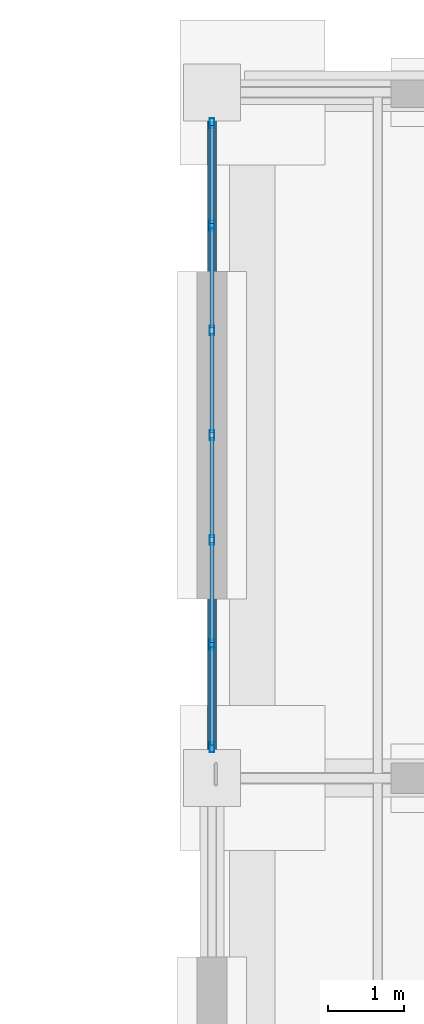
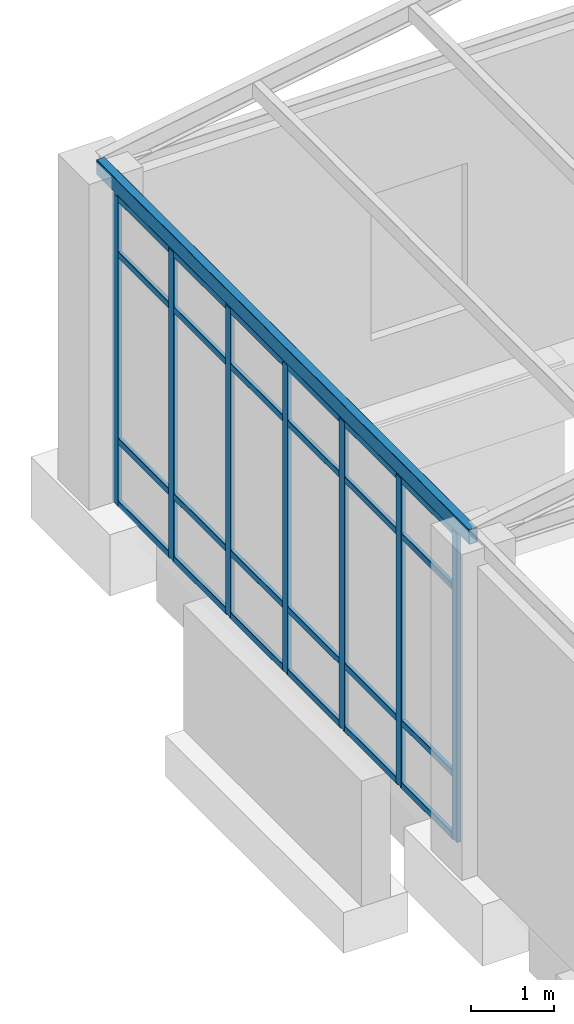
# One storey, part 67 of 111: 32 members, 1 element without a shape of its own.
"""IFC4 building model written with IfcOpenShell, lengths in metres."""

from ifc_helpers import new_model, si_unit, direction, frame, origin, origin_2d, place, context, subcontext, project, spatial, hollow_rectangle, extrude, material, material_profile, profile_set, type_object, element, aggregate, save


model = new_model("IFC4")

# Units and contexts
model_context = context("Model", 3, precision=1e-05, world=origin(), true_north=direction((0.0, 1.0)))
body_context = subcontext(model_context, "Body", "Model", "MODEL_VIEW")
ifc_project = project(units=[si_unit("LENGTHUNIT", "METRE"), si_unit("AREAUNIT", "SQUARE_METRE"), si_unit("VOLUMEUNIT", "CUBIC_METRE"), si_unit("PLANEANGLEUNIT", "RADIAN"), si_unit("MASSUNIT", "GRAM", prefix="KILO")], contexts=[model_context])

# Site, building, storey
site_placement = place(None, origin())
site = spatial("IfcSite", under=ifc_project, at=site_placement, CompositionType="ELEMENT")
building_placement = place(site_placement, origin())
building = spatial("IfcBuilding", under=site, at=building_placement, Name="Canglan Escarpment Cableway Terminal", CompositionType="ELEMENT")
storey_placement = place(building_placement, frame((0.0, 0.0, 4.800048828125)))
storey = spatial("IfcBuildingStorey", under=building, at=storey_placement, Name="L01", CompositionType="ELEMENT", Elevation=4.800048828125)

# Curtain wall, members
ifc_material_1 = material(Name="Anodized bronze aluminium and Low-E double glazing", Category="aluminium")
curtain_wall_type = type_object("IfcCurtainWallType", Name="CW-BAY-8250x4550", PredefinedType="NOTDEFINED", material=ifc_material_1)
curtain_wall_placement = place(storey_placement, origin())
curtain_wall = element("IfcCurtainWall", 1, at=curtain_wall_placement, inside=storey, type_object=curtain_wall_type, Name="Classical bay-between-piers glazed curtain wall CW-42", PredefinedType="NOTDEFINED")
ifc_material_2 = material(Name="Thermally broken anodized aluminium 6063-T6", Category="aluminium")
ifc_material_profile_1 = material_profile(ifc_material_2, hollow_rectangle(XDim=0.06005859375, YDim=0.1298828125, WallThickness=0.0029296875, InnerFilletRadius=0.0029296875, OuterFilletRadius=0.006103515625, at=origin_2d()), Name="ALU-MULL 60x130x3")
ifc_profile_set_1 = profile_set([ifc_material_profile_1], Name="Thermally broken anodized aluminium 6063-T6")
member_type_1 = type_object("IfcMemberType", Name="CWM-01", PredefinedType="MULLION", material=ifc_profile_set_1)
member_1_placement = place(storey_placement, frame((167.300048828125, 123.594970703125, 0.0), z_axis=(0.0, 0.0, 1.0), x_axis=(1.0, 0.0, 0.0)))
member_1 = element("IfcMember", 2, at=member_1_placement, type_object=member_type_1, Name="CW-42 mullion 1", PredefinedType="MULLION", context=body_context, shape_type="SweptSolid", body=[
    extrude(hollow_rectangle(XDim=0.06005859375, YDim=0.1298828125, WallThickness=0.0029296875, InnerFilletRadius=0.0029296875, OuterFilletRadius=0.006103515625, at=origin_2d()), origin(), (0.0, 0.0, 1.0), 4.550048828125),
])
member_2_placement = place(storey_placement, frame((167.300048828125, 122.25, 0.0), z_axis=(0.0, 0.0, 1.0), x_axis=(1.0, 0.0, 0.0)))
member_2 = element("IfcMember", 3, at=member_2_placement, type_object=member_type_1, Name="CW-42 mullion 2", PredefinedType="MULLION", context=body_context, shape_type="SweptSolid", body=[
    extrude(hollow_rectangle(XDim=0.06005859375, YDim=0.1298828125, WallThickness=0.0029296875, InnerFilletRadius=0.0029296875, OuterFilletRadius=0.006103515625, at=origin_2d()), origin(), (0.0, 0.0, 1.0), 4.550048828125),
])
member_3_placement = place(storey_placement, frame((167.300048828125, 120.875, 0.0), z_axis=(0.0, 0.0, 1.0), x_axis=(1.0, 0.0, 0.0)))
member_3 = element("IfcMember", 4, at=member_3_placement, type_object=member_type_1, Name="CW-42 mullion 3", PredefinedType="MULLION", context=body_context, shape_type="SweptSolid", body=[
    extrude(hollow_rectangle(XDim=0.06005859375, YDim=0.1298828125, WallThickness=0.0029296875, InnerFilletRadius=0.0029296875, OuterFilletRadius=0.006103515625, at=origin_2d()), origin(), (0.0, 0.0, 1.0), 4.550048828125),
])
member_4_placement = place(storey_placement, frame((167.300048828125, 119.5, 0.0), z_axis=(0.0, 0.0, 1.0), x_axis=(1.0, 0.0, 0.0)))
member_4 = element("IfcMember", 5, at=member_4_placement, type_object=member_type_1, Name="CW-42 mullion 4", PredefinedType="MULLION", context=body_context, shape_type="SweptSolid", body=[
    extrude(hollow_rectangle(XDim=0.06005859375, YDim=0.1298828125, WallThickness=0.0029296875, InnerFilletRadius=0.0029296875, OuterFilletRadius=0.006103515625, at=origin_2d()), origin(), (0.0, 0.0, 1.0), 4.550048828125),
])
member_5_placement = place(storey_placement, frame((167.300048828125, 118.125, 0.0), z_axis=(0.0, 0.0, 1.0), x_axis=(1.0, 0.0, 0.0)))
member_5 = element("IfcMember", 6, at=member_5_placement, type_object=member_type_1, Name="CW-42 mullion 5", PredefinedType="MULLION", context=body_context, shape_type="SweptSolid", body=[
    extrude(hollow_rectangle(XDim=0.06005859375, YDim=0.1298828125, WallThickness=0.0029296875, InnerFilletRadius=0.0029296875, OuterFilletRadius=0.006103515625, at=origin_2d()), origin(), (0.0, 0.0, 1.0), 4.550048828125),
])
member_6_placement = place(storey_placement, frame((167.300048828125, 116.75, 0.0), z_axis=(0.0, 0.0, 1.0), x_axis=(1.0, 0.0, 0.0)))
member_6 = element("IfcMember", 7, at=member_6_placement, type_object=member_type_1, Name="CW-42 mullion 6", PredefinedType="MULLION", context=body_context, shape_type="SweptSolid", body=[
    extrude(hollow_rectangle(XDim=0.06005859375, YDim=0.1298828125, WallThickness=0.0029296875, InnerFilletRadius=0.0029296875, OuterFilletRadius=0.006103515625, at=origin_2d()), origin(), (0.0, 0.0, 1.0), 4.550048828125),
])
member_7_placement = place(storey_placement, frame((167.300048828125, 115.405029296875, 0.0), z_axis=(0.0, 0.0, 1.0), x_axis=(1.0, 0.0, 0.0)))
member_7 = element("IfcMember", 8, at=member_7_placement, type_object=member_type_1, Name="CW-42 mullion 7", PredefinedType="MULLION", context=body_context, shape_type="SweptSolid", body=[
    extrude(hollow_rectangle(XDim=0.06005859375, YDim=0.1298828125, WallThickness=0.0029296875, InnerFilletRadius=0.0029296875, OuterFilletRadius=0.006103515625, at=origin_2d()), origin(), (0.0, 0.0, 1.0), 4.550048828125),
])
ifc_material_profile_2 = material_profile(ifc_material_2, hollow_rectangle(XDim=0.054931640625, YDim=0.094970703125, WallThickness=0.0029296875, InnerFilletRadius=0.0029296875, OuterFilletRadius=0.006103515625, at=origin_2d()), Name="ALU-TRAN 55x95x3")
ifc_profile_set_2 = profile_set([ifc_material_profile_2], Name="Thermally broken anodized aluminium 6063-T6")
member_type_2 = type_object("IfcMemberType", Name="CWT-01", PredefinedType="USERDEFINED", material=ifc_profile_set_2)
member_8_placement = place(storey_placement, frame((167.300048828125, 123.56494140625, 0.02734375), z_axis=(0.0, -1.0, 0.0), x_axis=(1.0, 0.0, 0.0)))
member_8 = element("IfcMember", 9, at=member_8_placement, type_object=member_type_2, Name="CW-42 transom 1.1", ObjectType="TRANSOM", PredefinedType="USERDEFINED", context=body_context, shape_type="SweptSolid", body=[
    extrude(hollow_rectangle(XDim=0.054931640625, YDim=0.094970703125, WallThickness=0.0029296875, InnerFilletRadius=0.0029296875, OuterFilletRadius=0.006103515625, at=origin_2d()), origin(), (0.0, 0.0, 1.0), 1.284912109375),
])
member_9_placement = place(storey_placement, frame((167.300048828125, 123.56494140625, 0.949951171875), z_axis=(0.0, -1.0, 0.0), x_axis=(1.0, 0.0, 0.0)))
member_9 = element("IfcMember", 10, at=member_9_placement, type_object=member_type_2, Name="CW-42 transom 1.2", ObjectType="TRANSOM", PredefinedType="USERDEFINED", context=body_context, shape_type="SweptSolid", body=[
    extrude(hollow_rectangle(XDim=0.054931640625, YDim=0.094970703125, WallThickness=0.0029296875, InnerFilletRadius=0.0029296875, OuterFilletRadius=0.006103515625, at=origin_2d()), origin(), (0.0, 0.0, 1.0), 1.284912109375),
])
member_10_placement = place(storey_placement, frame((167.300048828125, 123.56494140625, 3.699951171875), z_axis=(0.0, -1.0, 0.0), x_axis=(1.0, 0.0, 0.0)))
member_10 = element("IfcMember", 11, at=member_10_placement, type_object=member_type_2, Name="CW-42 transom 1.3", ObjectType="TRANSOM", PredefinedType="USERDEFINED", context=body_context, shape_type="SweptSolid", body=[
    extrude(hollow_rectangle(XDim=0.054931640625, YDim=0.094970703125, WallThickness=0.0029296875, InnerFilletRadius=0.0029296875, OuterFilletRadius=0.006103515625, at=origin_2d()), origin(), (0.0, 0.0, 1.0), 1.284912109375),
])
member_11_placement = place(storey_placement, frame((167.300048828125, 123.56494140625, 4.5224609375), z_axis=(0.0, -1.0, 0.0), x_axis=(1.0, 0.0, 0.0)))
member_11 = element("IfcMember", 12, at=member_11_placement, type_object=member_type_2, Name="CW-42 transom 1.4", ObjectType="TRANSOM", PredefinedType="USERDEFINED", context=body_context, shape_type="SweptSolid", body=[
    extrude(hollow_rectangle(XDim=0.054931640625, YDim=0.094970703125, WallThickness=0.0029296875, InnerFilletRadius=0.0029296875, OuterFilletRadius=0.006103515625, at=origin_2d()), origin(), (0.0, 0.0, 1.0), 1.284912109375),
])
member_12_placement = place(storey_placement, frame((167.300048828125, 122.219970703125, 0.02734375), z_axis=(0.0, -1.0, 0.0), x_axis=(1.0, 0.0, 0.0)))
member_12 = element("IfcMember", 13, at=member_12_placement, type_object=member_type_2, Name="CW-42 transom 2.1", ObjectType="TRANSOM", PredefinedType="USERDEFINED", context=body_context, shape_type="SweptSolid", body=[
    extrude(hollow_rectangle(XDim=0.054931640625, YDim=0.094970703125, WallThickness=0.0029296875, InnerFilletRadius=0.0029296875, OuterFilletRadius=0.006103515625, at=origin_2d()), origin(), (0.0, 0.0, 1.0), 1.31494140625),
])
member_13_placement = place(storey_placement, frame((167.300048828125, 122.219970703125, 0.949951171875), z_axis=(0.0, -1.0, 0.0), x_axis=(1.0, 0.0, 0.0)))
member_13 = element("IfcMember", 14, at=member_13_placement, type_object=member_type_2, Name="CW-42 transom 2.2", ObjectType="TRANSOM", PredefinedType="USERDEFINED", context=body_context, shape_type="SweptSolid", body=[
    extrude(hollow_rectangle(XDim=0.054931640625, YDim=0.094970703125, WallThickness=0.0029296875, InnerFilletRadius=0.0029296875, OuterFilletRadius=0.006103515625, at=origin_2d()), origin(), (0.0, 0.0, 1.0), 1.31494140625),
])
member_14_placement = place(storey_placement, frame((167.300048828125, 122.219970703125, 3.699951171875), z_axis=(0.0, -1.0, 0.0), x_axis=(1.0, 0.0, 0.0)))
member_14 = element("IfcMember", 15, at=member_14_placement, type_object=member_type_2, Name="CW-42 transom 2.3", ObjectType="TRANSOM", PredefinedType="USERDEFINED", context=body_context, shape_type="SweptSolid", body=[
    extrude(hollow_rectangle(XDim=0.054931640625, YDim=0.094970703125, WallThickness=0.0029296875, InnerFilletRadius=0.0029296875, OuterFilletRadius=0.006103515625, at=origin_2d()), origin(), (0.0, 0.0, 1.0), 1.31494140625),
])
member_15_placement = place(storey_placement, frame((167.300048828125, 122.219970703125, 4.5224609375), z_axis=(0.0, -1.0, 0.0), x_axis=(1.0, 0.0, 0.0)))
member_15 = element("IfcMember", 16, at=member_15_placement, type_object=member_type_2, Name="CW-42 transom 2.4", ObjectType="TRANSOM", PredefinedType="USERDEFINED", context=body_context, shape_type="SweptSolid", body=[
    extrude(hollow_rectangle(XDim=0.054931640625, YDim=0.094970703125, WallThickness=0.0029296875, InnerFilletRadius=0.0029296875, OuterFilletRadius=0.006103515625, at=origin_2d()), origin(), (0.0, 0.0, 1.0), 1.31494140625),
])
member_16_placement = place(storey_placement, frame((167.300048828125, 120.844970703125, 0.02734375), z_axis=(0.0, -1.0, 0.0), x_axis=(1.0, 0.0, 0.0)))
member_16 = element("IfcMember", 17, at=member_16_placement, type_object=member_type_2, Name="CW-42 transom 3.1", ObjectType="TRANSOM", PredefinedType="USERDEFINED", context=body_context, shape_type="SweptSolid", body=[
    extrude(hollow_rectangle(XDim=0.054931640625, YDim=0.094970703125, WallThickness=0.0029296875, InnerFilletRadius=0.0029296875, OuterFilletRadius=0.006103515625, at=origin_2d()), origin(), (0.0, 0.0, 1.0), 1.31494140625),
])
member_17_placement = place(storey_placement, frame((167.300048828125, 120.844970703125, 0.949951171875), z_axis=(0.0, -1.0, 0.0), x_axis=(1.0, 0.0, 0.0)))
member_17 = element("IfcMember", 18, at=member_17_placement, type_object=member_type_2, Name="CW-42 transom 3.2", ObjectType="TRANSOM", PredefinedType="USERDEFINED", context=body_context, shape_type="SweptSolid", body=[
    extrude(hollow_rectangle(XDim=0.054931640625, YDim=0.094970703125, WallThickness=0.0029296875, InnerFilletRadius=0.0029296875, OuterFilletRadius=0.006103515625, at=origin_2d()), origin(), (0.0, 0.0, 1.0), 1.31494140625),
])
member_18_placement = place(storey_placement, frame((167.300048828125, 120.844970703125, 3.699951171875), z_axis=(0.0, -1.0, 0.0), x_axis=(1.0, 0.0, 0.0)))
member_18 = element("IfcMember", 19, at=member_18_placement, type_object=member_type_2, Name="CW-42 transom 3.3", ObjectType="TRANSOM", PredefinedType="USERDEFINED", context=body_context, shape_type="SweptSolid", body=[
    extrude(hollow_rectangle(XDim=0.054931640625, YDim=0.094970703125, WallThickness=0.0029296875, InnerFilletRadius=0.0029296875, OuterFilletRadius=0.006103515625, at=origin_2d()), origin(), (0.0, 0.0, 1.0), 1.31494140625),
])
member_19_placement = place(storey_placement, frame((167.300048828125, 120.844970703125, 4.5224609375), z_axis=(0.0, -1.0, 0.0), x_axis=(1.0, 0.0, 0.0)))
member_19 = element("IfcMember", 20, at=member_19_placement, type_object=member_type_2, Name="CW-42 transom 3.4", ObjectType="TRANSOM", PredefinedType="USERDEFINED", context=body_context, shape_type="SweptSolid", body=[
    extrude(hollow_rectangle(XDim=0.054931640625, YDim=0.094970703125, WallThickness=0.0029296875, InnerFilletRadius=0.0029296875, OuterFilletRadius=0.006103515625, at=origin_2d()), origin(), (0.0, 0.0, 1.0), 1.31494140625),
])
member_20_placement = place(storey_placement, frame((167.300048828125, 119.469970703125, 0.02734375), z_axis=(0.0, -1.0, 0.0), x_axis=(1.0, 0.0, 0.0)))
member_20 = element("IfcMember", 21, at=member_20_placement, type_object=member_type_2, Name="CW-42 transom 4.1", ObjectType="TRANSOM", PredefinedType="USERDEFINED", context=body_context, shape_type="SweptSolid", body=[
    extrude(hollow_rectangle(XDim=0.054931640625, YDim=0.094970703125, WallThickness=0.0029296875, InnerFilletRadius=0.0029296875, OuterFilletRadius=0.006103515625, at=origin_2d()), origin(), (0.0, 0.0, 1.0), 1.31494140625),
])
member_21_placement = place(storey_placement, frame((167.300048828125, 119.469970703125, 0.949951171875), z_axis=(0.0, -1.0, 0.0), x_axis=(1.0, 0.0, 0.0)))
member_21 = element("IfcMember", 22, at=member_21_placement, type_object=member_type_2, Name="CW-42 transom 4.2", ObjectType="TRANSOM", PredefinedType="USERDEFINED", context=body_context, shape_type="SweptSolid", body=[
    extrude(hollow_rectangle(XDim=0.054931640625, YDim=0.094970703125, WallThickness=0.0029296875, InnerFilletRadius=0.0029296875, OuterFilletRadius=0.006103515625, at=origin_2d()), origin(), (0.0, 0.0, 1.0), 1.31494140625),
])
member_22_placement = place(storey_placement, frame((167.300048828125, 119.469970703125, 3.699951171875), z_axis=(0.0, -1.0, 0.0), x_axis=(1.0, 0.0, 0.0)))
member_22 = element("IfcMember", 23, at=member_22_placement, type_object=member_type_2, Name="CW-42 transom 4.3", ObjectType="TRANSOM", PredefinedType="USERDEFINED", context=body_context, shape_type="SweptSolid", body=[
    extrude(hollow_rectangle(XDim=0.054931640625, YDim=0.094970703125, WallThickness=0.0029296875, InnerFilletRadius=0.0029296875, OuterFilletRadius=0.006103515625, at=origin_2d()), origin(), (0.0, 0.0, 1.0), 1.31494140625),
])
member_23_placement = place(storey_placement, frame((167.300048828125, 119.469970703125, 4.5224609375), z_axis=(0.0, -1.0, 0.0), x_axis=(1.0, 0.0, 0.0)))
member_23 = element("IfcMember", 24, at=member_23_placement, type_object=member_type_2, Name="CW-42 transom 4.4", ObjectType="TRANSOM", PredefinedType="USERDEFINED", context=body_context, shape_type="SweptSolid", body=[
    extrude(hollow_rectangle(XDim=0.054931640625, YDim=0.094970703125, WallThickness=0.0029296875, InnerFilletRadius=0.0029296875, OuterFilletRadius=0.006103515625, at=origin_2d()), origin(), (0.0, 0.0, 1.0), 1.31494140625),
])
member_24_placement = place(storey_placement, frame((167.300048828125, 118.094970703125, 0.02734375), z_axis=(0.0, -1.0, 0.0), x_axis=(1.0, 0.0, 0.0)))
member_24 = element("IfcMember", 25, at=member_24_placement, type_object=member_type_2, Name="CW-42 transom 5.1", ObjectType="TRANSOM", PredefinedType="USERDEFINED", context=body_context, shape_type="SweptSolid", body=[
    extrude(hollow_rectangle(XDim=0.054931640625, YDim=0.094970703125, WallThickness=0.0029296875, InnerFilletRadius=0.0029296875, OuterFilletRadius=0.006103515625, at=origin_2d()), origin(), (0.0, 0.0, 1.0), 1.31494140625),
])
member_25_placement = place(storey_placement, frame((167.300048828125, 118.094970703125, 0.949951171875), z_axis=(0.0, -1.0, 0.0), x_axis=(1.0, 0.0, 0.0)))
member_25 = element("IfcMember", 26, at=member_25_placement, type_object=member_type_2, Name="CW-42 transom 5.2", ObjectType="TRANSOM", PredefinedType="USERDEFINED", context=body_context, shape_type="SweptSolid", body=[
    extrude(hollow_rectangle(XDim=0.054931640625, YDim=0.094970703125, WallThickness=0.0029296875, InnerFilletRadius=0.0029296875, OuterFilletRadius=0.006103515625, at=origin_2d()), origin(), (0.0, 0.0, 1.0), 1.31494140625),
])
member_26_placement = place(storey_placement, frame((167.300048828125, 118.094970703125, 3.699951171875), z_axis=(0.0, -1.0, 0.0), x_axis=(1.0, 0.0, 0.0)))
member_26 = element("IfcMember", 27, at=member_26_placement, type_object=member_type_2, Name="CW-42 transom 5.3", ObjectType="TRANSOM", PredefinedType="USERDEFINED", context=body_context, shape_type="SweptSolid", body=[
    extrude(hollow_rectangle(XDim=0.054931640625, YDim=0.094970703125, WallThickness=0.0029296875, InnerFilletRadius=0.0029296875, OuterFilletRadius=0.006103515625, at=origin_2d()), origin(), (0.0, 0.0, 1.0), 1.31494140625),
])
member_27_placement = place(storey_placement, frame((167.300048828125, 118.094970703125, 4.5224609375), z_axis=(0.0, -1.0, 0.0), x_axis=(1.0, 0.0, 0.0)))
member_27 = element("IfcMember", 28, at=member_27_placement, type_object=member_type_2, Name="CW-42 transom 5.4", ObjectType="TRANSOM", PredefinedType="USERDEFINED", context=body_context, shape_type="SweptSolid", body=[
    extrude(hollow_rectangle(XDim=0.054931640625, YDim=0.094970703125, WallThickness=0.0029296875, InnerFilletRadius=0.0029296875, OuterFilletRadius=0.006103515625, at=origin_2d()), origin(), (0.0, 0.0, 1.0), 1.31494140625),
])
member_28_placement = place(storey_placement, frame((167.300048828125, 116.719970703125, 0.02734375), z_axis=(0.0, -1.0, 0.0), x_axis=(1.0, 0.0, 0.0)))
member_28 = element("IfcMember", 29, at=member_28_placement, type_object=member_type_2, Name="CW-42 transom 6.1", ObjectType="TRANSOM", PredefinedType="USERDEFINED", context=body_context, shape_type="SweptSolid", body=[
    extrude(hollow_rectangle(XDim=0.054931640625, YDim=0.094970703125, WallThickness=0.0029296875, InnerFilletRadius=0.0029296875, OuterFilletRadius=0.006103515625, at=origin_2d()), origin(), (0.0, 0.0, 1.0), 1.284912109375),
])
member_29_placement = place(storey_placement, frame((167.300048828125, 116.719970703125, 0.949951171875), z_axis=(0.0, -1.0, 0.0), x_axis=(1.0, 0.0, 0.0)))
member_29 = element("IfcMember", 30, at=member_29_placement, type_object=member_type_2, Name="CW-42 transom 6.2", ObjectType="TRANSOM", PredefinedType="USERDEFINED", context=body_context, shape_type="SweptSolid", body=[
    extrude(hollow_rectangle(XDim=0.054931640625, YDim=0.094970703125, WallThickness=0.0029296875, InnerFilletRadius=0.0029296875, OuterFilletRadius=0.006103515625, at=origin_2d()), origin(), (0.0, 0.0, 1.0), 1.284912109375),
])
member_30_placement = place(storey_placement, frame((167.300048828125, 116.719970703125, 3.699951171875), z_axis=(0.0, -1.0, 0.0), x_axis=(1.0, 0.0, 0.0)))
member_30 = element("IfcMember", 31, at=member_30_placement, type_object=member_type_2, Name="CW-42 transom 6.3", ObjectType="TRANSOM", PredefinedType="USERDEFINED", context=body_context, shape_type="SweptSolid", body=[
    extrude(hollow_rectangle(XDim=0.054931640625, YDim=0.094970703125, WallThickness=0.0029296875, InnerFilletRadius=0.0029296875, OuterFilletRadius=0.006103515625, at=origin_2d()), origin(), (0.0, 0.0, 1.0), 1.284912109375),
])
member_31_placement = place(storey_placement, frame((167.300048828125, 116.719970703125, 4.5224609375), z_axis=(0.0, -1.0, 0.0), x_axis=(1.0, 0.0, 0.0)))
member_31 = element("IfcMember", 32, at=member_31_placement, type_object=member_type_2, Name="CW-42 transom 6.4", ObjectType="TRANSOM", PredefinedType="USERDEFINED", context=body_context, shape_type="SweptSolid", body=[
    extrude(hollow_rectangle(XDim=0.054931640625, YDim=0.094970703125, WallThickness=0.0029296875, InnerFilletRadius=0.0029296875, OuterFilletRadius=0.006103515625, at=origin_2d()), origin(), (0.0, 0.0, 1.0), 1.284912109375),
])
aggregate(curtain_wall, [member_1, member_2, member_3, member_4, member_5, member_6, member_7, member_8, member_9, member_10, member_11, member_12, member_13, member_14, member_15, member_16, member_17, member_18, member_19, member_20, member_21, member_22, member_23, member_24, member_25, member_26, member_27, member_28, member_29, member_30, member_31])

# Member
ifc_material_3 = material(Name="Steel Q355B", Category="steel")
ifc_material_profile_3 = material_profile(ifc_material_3, hollow_rectangle(XDim=0.1201171875, YDim=0.219970703125, WallThickness=0.006103515625, InnerFilletRadius=0.006103515625, OuterFilletRadius=0.011962890625, at=origin_2d()), Name="RHS 220x120x6")
ifc_profile_set_3 = profile_set([ifc_material_profile_3], Name="Steel Q355B")
member_type_3 = type_object("IfcMemberType", Name="MB-PAV-PUR-RHS220", PredefinedType="PURLIN", material=ifc_profile_set_3)
member_32_placement = place(storey_placement, frame((167.300048828125, 115.0, 4.719970703125), z_axis=(0.0, 1.0, 0.0), x_axis=(-1.0, 0.0, 0.0)))
element("IfcMember", 33, at=member_32_placement, inside=storey, type_object=member_type_3, Name="Colonnade canopy purlin PR-03", PredefinedType="PURLIN", context=body_context, shape_type="SweptSolid", body=[
    extrude(hollow_rectangle(XDim=0.1201171875, YDim=0.219970703125, WallThickness=0.006103515625, InnerFilletRadius=0.006103515625, OuterFilletRadius=0.011962890625, at=origin_2d()), origin(), (0.0, 0.0, 1.0), 9.0),
])

save(model, "model.ifc")
